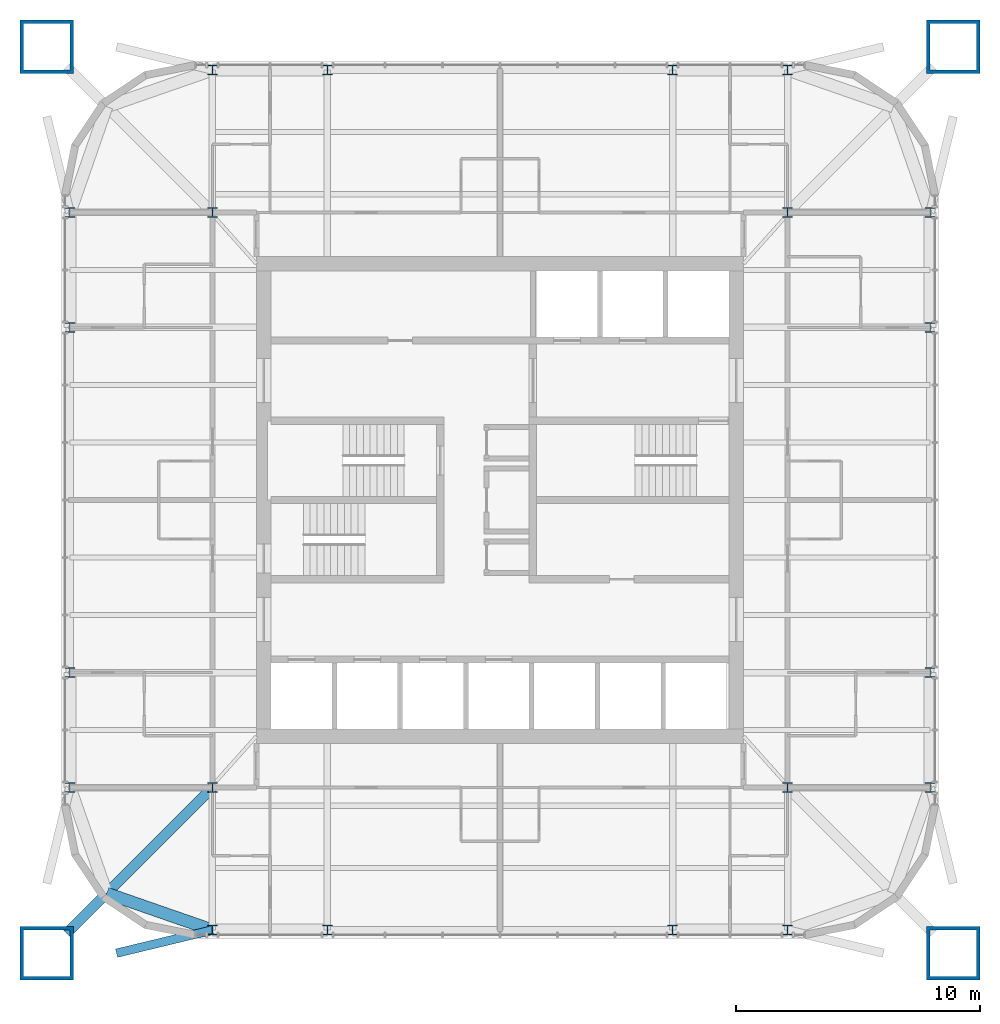
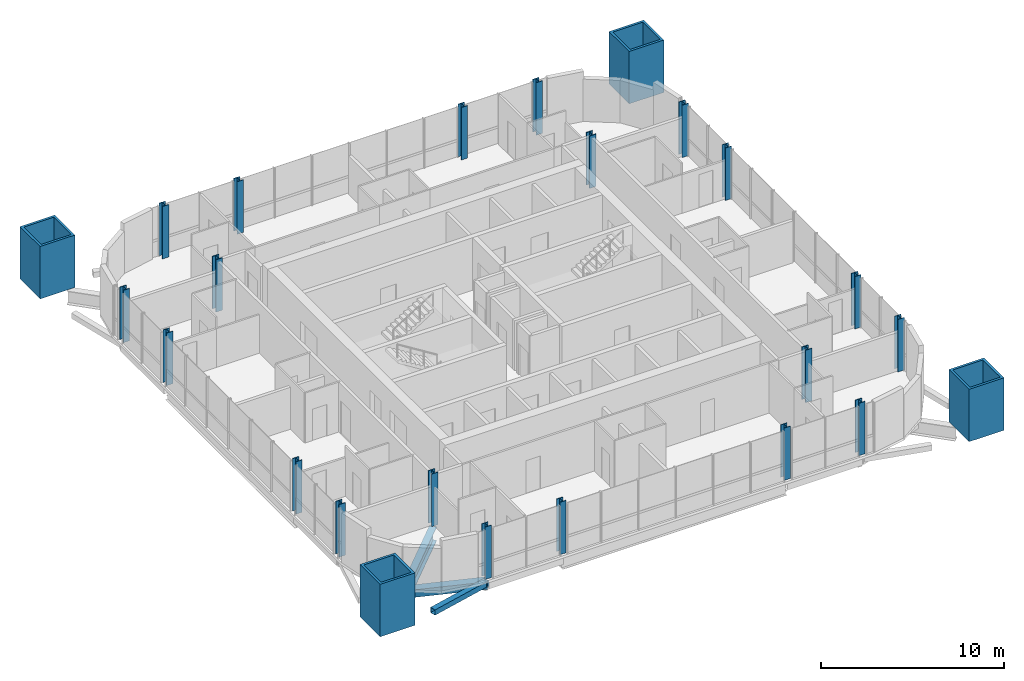
# One storey, part 1 of 16: 24 columns, 3 beams.
"""IFC4 building model written with IfcOpenShell, lengths in metres."""

from ifc_helpers import new_model, si_unit, direction, frame, origin, origin_2d, place, context, subcontext, project, spatial, hollow_rectangle, i_section, extrude, material, material_profile, profile_set, type_object, element, save


model = new_model("IFC4")

# Units and contexts
model_context = context("Model", 3, precision=1e-05, world=origin(), true_north=direction((0.0, 1.0)))
body_context = subcontext(model_context, "Body", "Model", "MODEL_VIEW")
ifc_project = project(units=[si_unit("LENGTHUNIT", "METRE"), si_unit("AREAUNIT", "SQUARE_METRE"), si_unit("VOLUMEUNIT", "CUBIC_METRE"), si_unit("PLANEANGLEUNIT", "RADIAN"), si_unit("MASSUNIT", "GRAM", prefix="KILO")], contexts=[model_context])

# Site, building, storey
site_placement = place(None, origin())
site = spatial("IfcSite", under=ifc_project, at=site_placement, CompositionType="ELEMENT")
building_placement = place(site_placement, origin())
building = spatial("IfcBuilding", under=site, at=building_placement, Name="Turquesa Mirador Hotel Tower", CompositionType="ELEMENT")
storey_placement = place(building_placement, frame((0.0, 0.0, 230.199951171875)))
storey = spatial("IfcBuildingStorey", under=building, at=storey_placement, Name="L62", CompositionType="ELEMENT", Elevation=230.199951171875)

# Columns
ifc_material_1 = material(Name="Steel ASTM A992 Grade 50", Category="steel")
ifc_material_profile_1 = material_profile(ifc_material_1, i_section(OverallWidth=0.398681640625, OverallDepth=0.393798828125, WebThickness=0.022705078125, FlangeThickness=0.03662109375, at=origin_2d()), Name="W14X193")
ifc_profile_set_1 = profile_set([ifc_material_profile_1], Name="Steel ASTM A992 Grade 50")
column_type_1 = type_object("IfcColumnType", Name="COLUMN W14X193", PredefinedType="COLUMN", material=ifc_profile_set_1)
for number, where, z_axis, x_axis, name in (
    (1, (37.35009765625, 33.199951171875, 0.0), (0.0, 0.0, 1.0), (1.0, 0.0, 0.0), "COL-L62-P--17.65--11.80"),
    (2, (37.35009765625, 37.919921875, 0.0), (0.0, 0.0, 1.0), (1.0, 0.0, 0.0), "COL-L62-P--17.65--7.08"),
    (3, (37.35009765625, 52.080078125, 0.0), (0.0, 0.0, 1.0), (1.0, 0.0, 0.0), "COL-L62-P--17.65-+7.08"),
    (4, (37.35009765625, 56.800048828125, 0.0), (0.0, 0.0, 1.0), (1.0, 0.0, 0.0), "COL-L62-P--17.65-+11.80"),
    (5, (43.199951171875, 27.35009765625, 0.0), (0.0, 0.0, 1.0), (1.0, 0.0, 0.0), "COL-L62-P--11.80--17.65"),
    (6, (43.199951171875, 62.64990234375, 0.0), (0.0, 0.0, 1.0), (1.0, 0.0, 0.0), "COL-L62-P--11.80-+17.65"),
    (7, (47.919921875, 27.35009765625, 0.0), (0.0, 0.0, 1.0), (1.0, 0.0, 0.0), "COL-L62-P--7.08--17.65"),
    (8, (47.919921875, 62.64990234375, 0.0), (0.0, 0.0, 1.0), (1.0, 0.0, 0.0), "COL-L62-P--7.08-+17.65"),
    (9, (62.080078125, 27.35009765625, 0.0), (0.0, 0.0, 1.0), (1.0, 0.0, 0.0), "COL-L62-P-+7.08--17.65"),
    (10, (62.080078125, 62.64990234375, 0.0), (0.0, 0.0, 1.0), (1.0, 0.0, 0.0), "COL-L62-P-+7.08-+17.65"),
    (11, (66.800048828125, 27.35009765625, 0.0), (0.0, 0.0, 1.0), (1.0, 0.0, 0.0), "COL-L62-P-+11.80--17.65"),
    (12, (66.800048828125, 62.64990234375, 0.0), (0.0, 0.0, 1.0), (1.0, 0.0, 0.0), "COL-L62-P-+11.80-+17.65"),
    (13, (72.64990234375, 33.199951171875, 0.0), (0.0, 0.0, 1.0), (1.0, 0.0, 0.0), "COL-L62-P-+17.65--11.80"),
    (14, (72.64990234375, 37.919921875, 0.0), (0.0, 0.0, 1.0), (1.0, 0.0, 0.0), "COL-L62-P-+17.65--7.08"),
    (15, (72.64990234375, 52.080078125, 0.0), (0.0, 0.0, 1.0), (1.0, 0.0, 0.0), "COL-L62-P-+17.65-+7.08"),
    (16, (72.64990234375, 56.800048828125, 0.0), (0.0, 0.0, 1.0), (1.0, 0.0, 0.0), "COL-L62-P-+17.65-+11.80"),
):
    element("IfcColumn", number, at=place(storey_placement, frame(where, z_axis=z_axis, x_axis=x_axis)), inside=storey, type_object=column_type_1, Name=name, PredefinedType="COLUMN", context=body_context, shape_type="SweptSolid", body=[
        extrude(i_section(OverallWidth=0.398681640625, OverallDepth=0.393798828125, WebThickness=0.022705078125, FlangeThickness=0.03662109375, at=origin_2d()), origin(), (0.0, 0.0, 1.0), 3.5),
    ])
ifc_material_2 = material(Name="Steel ASTM A992 Grade 50", Category="steel")
ifc_material_profile_2 = material_profile(ifc_material_2, i_section(OverallWidth=0.406494140625, OverallDepth=0.41650390625, WebThickness=0.030029296875, FlangeThickness=0.048095703125, at=origin_2d()), Name="W14X257")
ifc_profile_set_2 = profile_set([ifc_material_profile_2], Name="Steel ASTM A992 Grade 50")
column_type_2 = type_object("IfcColumnType", Name="COLUMN W14X257", PredefinedType="COLUMN", material=ifc_profile_set_2)
for number, where, z_axis, x_axis, name in (
    (17, (43.199951171875, 33.199951171875, 0.0), (0.0, 0.0, 1.0), (1.0, 0.0, 0.0), "COL-L62-K--11.80--11.80"),
    (18, (43.199951171875, 56.800048828125, 0.0), (0.0, 0.0, 1.0), (1.0, 0.0, 0.0), "COL-L62-K--11.80-+11.80"),
    (19, (66.800048828125, 33.199951171875, 0.0), (0.0, 0.0, 1.0), (1.0, 0.0, 0.0), "COL-L62-K-+11.80--11.80"),
    (20, (66.800048828125, 56.800048828125, 0.0), (0.0, 0.0, 1.0), (1.0, 0.0, 0.0), "COL-L62-K-+11.80-+11.80"),
):
    element("IfcColumn", number, at=place(storey_placement, frame(where, z_axis=z_axis, x_axis=x_axis)), inside=storey, type_object=column_type_2, Name=name, PredefinedType="COLUMN", context=body_context, shape_type="SweptSolid", body=[
        extrude(i_section(OverallWidth=0.406494140625, OverallDepth=0.41650390625, WebThickness=0.030029296875, FlangeThickness=0.048095703125, at=origin_2d()), origin(), (0.0, 0.0, 1.0), 3.5),
    ])
ifc_material_3 = material(Name="Steel ASTM A514 Grade Q", Category="steel")
ifc_material_profile_3 = material_profile(ifc_material_3, hollow_rectangle(XDim=2.199951171875, YDim=2.199951171875, WallThickness=0.14990234375, at=origin_2d()), Name="BOX2200X2200X150")
ifc_profile_set_3 = profile_set([ifc_material_profile_3], Name="Steel ASTM A514 Grade Q")
column_type_3 = type_object("IfcColumnType", Name="MEGA COLUMN BOX2200X2200X150", PredefinedType="COLUMN", material=ifc_profile_set_3)
for number, where, z_axis, x_axis, name in (
    (21, (73.60009765625, 63.60009765625, 0.0), (0.0, 0.0, 1.0), (1.0, 0.0, 0.0), "Mega column M1"),
    (22, (36.39990234375, 63.60009765625, 0.0), (0.0, 0.0, 1.0), (1.0, 0.0, 0.0), "Mega column M2"),
    (23, (36.39990234375, 26.39990234375, 0.0), (0.0, 0.0, 1.0), (1.0, 0.0, 0.0), "Mega column M3"),
    (24, (73.60009765625, 26.39990234375, 0.0), (0.0, 0.0, 1.0), (1.0, 0.0, 0.0), "Mega column M4"),
):
    element("IfcColumn", number, at=place(storey_placement, frame(where, z_axis=z_axis, x_axis=x_axis)), inside=storey, type_object=column_type_3, Name=name, PredefinedType="COLUMN", context=body_context, shape_type="SweptSolid", body=[
        extrude(hollow_rectangle(XDim=2.199951171875, YDim=2.199951171875, WallThickness=0.14990234375, at=origin_2d()), origin(), (0.0, 0.0, 1.0), 3.5),
    ])

# Beams
ifc_material_4 = material(Name="Steel ASTM A572 Grade 50", Category="steel")
ifc_material_profile_4 = material_profile(ifc_material_4, hollow_rectangle(XDim=0.5, YDim=0.5, WallThickness=0.01611328125, at=origin_2d()), Name="BOX500X500X16")
ifc_profile_set_4 = profile_set([ifc_material_profile_4], Name="Steel ASTM A572 Grade 50")
beam_type_1 = type_object("IfcBeamType", Name="BEAM BOX500X500X16", PredefinedType="BEAM", material=ifc_profile_set_4)
beam_1_placement = place(storey_placement, frame((38.8583984375, 28.8583984375, -0.419921875), z_axis=(0.944618556552, -0.328170356092, 0.0), x_axis=(0.328170356092, 0.944618556552, 0.0)))
element("IfcBeam", 25, at=beam_1_placement, inside=storey, type_object=beam_type_1, Name="KE-L62-3-1", PredefinedType="BEAM", context=body_context, shape_type="SweptSolid", body=[
    extrude(hollow_rectangle(XDim=0.5, YDim=0.5, WallThickness=0.01611328125, at=origin_2d()), origin(), (0.0, 0.0, 1.0), 4.59619140625),
])
ifc_material_5 = material(Name="Steel ASTM A992 Grade 50", Category="steel")
ifc_material_profile_5 = material_profile(ifc_material_5, i_section(OverallWidth=0.419189453125, OverallDepth=0.927001953125, WebThickness=0.019287109375, FlangeThickness=0.031982421875, at=origin_2d()), Name="W36X231")
ifc_profile_set_5 = profile_set([ifc_material_profile_5], Name="Steel ASTM A992 Grade 50")
beam_type_2 = type_object("IfcBeamType", Name="BEAM W36X231", PredefinedType="BEAM", material=ifc_profile_set_5)
beam_2_placement = place(storey_placement, frame((43.199951171875, 33.199951171875, -0.633544921875), z_axis=(-0.707106781187, -0.707106781187, 0.0), x_axis=(0.707106781187, -0.707106781187, 0.0)))
element("IfcBeam", 26, at=beam_2_placement, inside=storey, type_object=beam_type_2, Name="KD-L62-3", PredefinedType="BEAM", context=body_context, shape_type="SweptSolid", body=[
    extrude(i_section(OverallWidth=0.419189453125, OverallDepth=0.927001953125, WebThickness=0.019287109375, FlangeThickness=0.031982421875, at=origin_2d()), origin(), (0.0, 0.0, 1.0), 8.46240234375),
])
ifc_material_6 = material(Name="Steel ASTM A500 Grade C", Category="steel")
ifc_material_profile_6 = material_profile(ifc_material_6, hollow_rectangle(XDim=0.355712890625, YDim=0.355712890625, WallThickness=0.0146484375, at=origin_2d()), Name="HSS14X14X5/8")
ifc_profile_set_6 = profile_set([ifc_material_profile_6], Name="Steel ASTM A500 Grade C")
beam_type_3 = type_object("IfcBeamType", Name="BRACE STRUT HSS14X14X5/8", PredefinedType="BEAM", material=ifc_profile_set_6)
beam_3_placement = place(storey_placement, frame((39.261474609375, 26.39990234375, -0.34765625), z_axis=(0.972108743685, 0.234530574661, 0.0), x_axis=(-0.234530574661, 0.972108743685, 0.0)))
element("IfcBeam", 27, at=beam_3_placement, inside=storey, type_object=beam_type_3, Name="Brace strut", PredefinedType="BEAM", context=body_context, shape_type="SweptSolid", body=[
    extrude(hollow_rectangle(XDim=0.355712890625, YDim=0.355712890625, WallThickness=0.0146484375, at=origin_2d()), origin(), (0.0, 0.0, 1.0), 4.051513671875),
])

save(model, "model.ifc")
